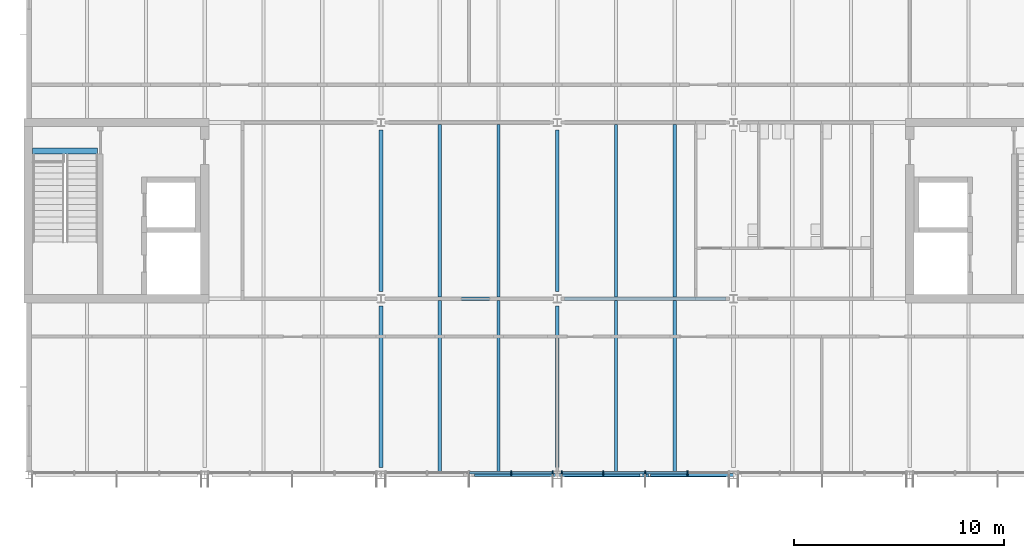
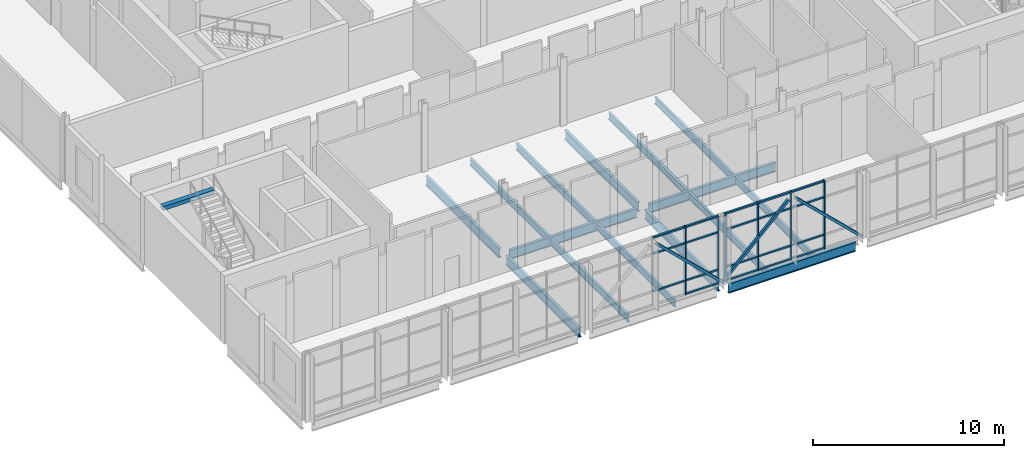
# One storey, part 12 of 89: 28 members, 16 beams, 2 elements without a shape of their own.
"""IFC4 building model written with IfcOpenShell, lengths in metres."""

from ifc_helpers import new_model, si_unit, direction, frame, origin, origin_2d, place, context, subcontext, project, spatial, rectangle, hollow_rectangle, i_section, extrude, material, material_profile, profile_set, type_object, element, aggregate, save


model = new_model("IFC4")

# Units and contexts
model_context = context("Model", 3, precision=1e-05, world=origin(), true_north=direction((0.0, 1.0)))
body_context = subcontext(model_context, "Body", "Model", "MODEL_VIEW")
ifc_project = project(units=[si_unit("LENGTHUNIT", "METRE"), si_unit("AREAUNIT", "SQUARE_METRE"), si_unit("VOLUMEUNIT", "CUBIC_METRE"), si_unit("PLANEANGLEUNIT", "RADIAN"), si_unit("MASSUNIT", "GRAM", prefix="KILO")], contexts=[model_context])

# Site, building, storey
site_placement = place(None, origin())
site = spatial("IfcSite", under=ifc_project, at=site_placement, CompositionType="ELEMENT")
building_placement = place(site_placement, origin())
building = spatial("IfcBuilding", under=site, at=building_placement, Name="Hlaing Beacon Police Headquarters", CompositionType="ELEMENT")
storey_placement = place(building_placement, frame((0.0, 0.0, 9.89990234375)))
storey = spatial("IfcBuildingStorey", under=building, at=storey_placement, Name="L02", CompositionType="ELEMENT", Elevation=9.89990234375)

# Members
ifc_material_1 = material(Name="Steel ASTM A500 Grade C", Category="steel")
ifc_material_profile_1 = material_profile(ifc_material_1, hollow_rectangle(XDim=0.15234375, YDim=0.15234375, WallThickness=0.0126953125, at=origin_2d()), Name="HSS6x6x1/2")
ifc_profile_set_1 = profile_set([ifc_material_profile_1], Name="Steel ASTM A500 Grade C")
member_type_1 = type_object("IfcMemberType", Name="Chevron brace HSS6x6x1/2", PredefinedType="BRACE", material=ifc_profile_set_1)
member_1_placement = place(storey_placement, frame((33.64306640625, 8.39990234375, 0.05517578125), z_axis=(-0.719900149017, 0.0, 0.694077643672), x_axis=(0.0, -1.0, 0.0)))
element("IfcMember", 1, at=member_1_placement, inside=storey, type_object=member_type_1, Name="STR-BR-L02-2Db", PredefinedType="BRACE", context=body_context, shape_type="SweptSolid", body=[
    extrude(hollow_rectangle(XDim=0.15234375, YDim=0.15234375, WallThickness=0.0126953125, at=origin_2d()), origin(), (0.0, 0.0, 1.0), 5.615966796875),
])
member_2_placement = place(storey_placement, frame((33.556884765625, 8.39990234375, 0.05517578125), z_axis=(0.719921090511, 0.0, 0.694055922414), x_axis=(0.0, 1.0, 0.0)))
element("IfcMember", 2, at=member_2_placement, inside=storey, type_object=member_type_1, Name="STR-BR-L02-2Ea", PredefinedType="BRACE", context=body_context, shape_type="SweptSolid", body=[
    extrude(hollow_rectangle(XDim=0.15234375, YDim=0.15234375, WallThickness=0.0126953125, at=origin_2d()), origin(), (0.0, 0.0, 1.0), 5.6162109375),
])
member_3_placement = place(storey_placement, frame((42.04296875, 8.39990234375, 0.05517578125), z_axis=(-0.719900149017, 0.0, 0.694077643672), x_axis=(0.0, -1.0, 0.0)))
element("IfcMember", 3, at=member_3_placement, inside=storey, type_object=member_type_1, Name="STR-BR-L02-2Eb", PredefinedType="BRACE", context=body_context, shape_type="SweptSolid", body=[
    extrude(hollow_rectangle(XDim=0.15234375, YDim=0.15234375, WallThickness=0.0126953125, at=origin_2d()), origin(), (0.0, 0.0, 1.0), 5.615966796875),
])

# Beams
ifc_material_2 = material(Name="Steel ASTM A992 Grade 50", Category="steel")
ifc_material_profile_2 = material_profile(ifc_material_2, i_section(OverallWidth=0.177978515625, OverallDepth=0.599365234375, WebThickness=0.010009765625, FlangeThickness=0.012939453125, FilletRadius=0.012939453125, at=origin_2d()), Name="W24x55")
ifc_profile_set_2 = profile_set([ifc_material_profile_2], Name="Steel ASTM A992 Grade 50")
beam_type_1 = type_object("IfcBeamType", Name="Girder W24x55", PredefinedType="BEAM", material=ifc_profile_set_2)
for number, where, z_axis, x_axis, name in (
    (4, (33.949951171875, 8.39990234375, -0.4296875), (1.0, 0.0, 0.0), (0.0, 1.0, 0.0), "STR-BM-L02-GX-E2-F2"),
    (5, (25.550048828125, 16.800048828125, -0.4296875), (1.0, 0.0, 0.0), (0.0, 1.0, 0.0), "STR-BM-L02-GX-D3-E3"),
    (6, (33.949951171875, 16.800048828125, -0.4296875), (1.0, 0.0, 0.0), (0.0, 1.0, 0.0), "STR-BM-L02-GX-E3-F3"),
    (7, (25.199951171875, 8.75, -0.4296875), (0.0, 1.0, 0.0), (-1.0, 0.0, 0.0), "STR-BM-L02-GY-D2-D3"),
):
    element("IfcBeam", number, at=place(storey_placement, frame(where, z_axis=z_axis, x_axis=x_axis)), inside=storey, type_object=beam_type_1, Name=name, PredefinedType="BEAM", context=body_context, shape_type="SweptSolid", body=[
        extrude(i_section(OverallWidth=0.177978515625, OverallDepth=0.599365234375, WebThickness=0.010009765625, FlangeThickness=0.012939453125, FilletRadius=0.012939453125, at=origin_2d()), origin(), (0.0, 0.0, 1.0), 7.699951171875),
    ])
beam_1_placement = place(storey_placement, frame((25.199951171875, 17.14990234375, -0.4296875), z_axis=(0.0, 1.0, 0.0), x_axis=(-1.0, 0.0, 0.0)))
element("IfcBeam", 8, at=beam_1_placement, inside=storey, type_object=beam_type_1, Name="STR-BM-L02-GY-D3-D4", PredefinedType="BEAM", context=body_context, shape_type="SweptSolid", body=[
    extrude(i_section(OverallWidth=0.177978515625, OverallDepth=0.599365234375, WebThickness=0.010009765625, FlangeThickness=0.012939453125, FilletRadius=0.012939453125, at=origin_2d()), origin(), (0.0, 0.0, 1.0), 7.7001953125),
])
beam_2_placement = place(storey_placement, frame((33.60009765625, 8.75, -0.4296875), z_axis=(0.0, 1.0, 0.0), x_axis=(-1.0, 0.0, 0.0)))
element("IfcBeam", 9, at=beam_2_placement, inside=storey, type_object=beam_type_1, Name="STR-BM-L02-GY-E2-E3", PredefinedType="BEAM", context=body_context, shape_type="SweptSolid", body=[
    extrude(i_section(OverallWidth=0.177978515625, OverallDepth=0.599365234375, WebThickness=0.010009765625, FlangeThickness=0.012939453125, FilletRadius=0.012939453125, at=origin_2d()), origin(), (0.0, 0.0, 1.0), 7.699951171875),
])
beam_3_placement = place(storey_placement, frame((33.60009765625, 17.14990234375, -0.4296875), z_axis=(0.0, 1.0, 0.0), x_axis=(-1.0, 0.0, 0.0)))
element("IfcBeam", 10, at=beam_3_placement, inside=storey, type_object=beam_type_1, Name="STR-BM-L02-GY-E3-E4", PredefinedType="BEAM", context=body_context, shape_type="SweptSolid", body=[
    extrude(i_section(OverallWidth=0.177978515625, OverallDepth=0.599365234375, WebThickness=0.010009765625, FlangeThickness=0.012939453125, FilletRadius=0.012939453125, at=origin_2d()), origin(), (0.0, 0.0, 1.0), 7.7001953125),
])

# Curtain wall, members
ifc_material_3 = material(Name="Aluminium frame with solar control glazing", Category="aluminium")
curtain_wall_type = type_object("IfcCurtainWallType", Name="Unitised curtain wall 8.03 x 4.37", PredefinedType="NOTDEFINED", material=ifc_material_3)
curtain_wall_1_placement = place(storey_placement, origin())
curtain_wall_1 = element("IfcCurtainWall", 11, at=curtain_wall_1_placement, inside=storey, type_object=curtain_wall_type, Name="ENV-CW-L02-S011", PredefinedType="NOTDEFINED")
ifc_material_4 = material(Name="Aluminium", Category="aluminium")
ifc_material_profile_3 = material_profile(ifc_material_4, rectangle(XDim=0.199951171875, YDim=0.06005859375, at=origin_2d()), Name="Mullion 60x200")
ifc_profile_set_3 = profile_set([ifc_material_profile_3], Name="Aluminium")
member_type_2 = type_object("IfcMemberType", Name="Mullion 60x200", PredefinedType="MULLION", material=ifc_profile_set_3)
member_4_placement = place(storey_placement, frame((31.4072265625, 8.5, 0.0), z_axis=(0.0, 0.0, 1.0), x_axis=(0.0, 1.0, 0.0)))
member_4 = element("IfcMember", 12, at=member_4_placement, type_object=member_type_2, Name="CW-L02-S011 mullion 4", PredefinedType="MULLION", context=body_context, shape_type="SweptSolid", body=[
    extrude(rectangle(XDim=0.199951171875, YDim=0.06005859375, at=origin_2d()), origin(), (0.0, 0.0, 1.0), 4.3701171875),
])
member_5_placement = place(storey_placement, frame((33.384521484375, 8.5, 0.0), z_axis=(0.0, 0.0, 1.0), x_axis=(0.0, 1.0, 0.0)))
member_5 = element("IfcMember", 13, at=member_5_placement, type_object=member_type_2, Name="CW-L02-S011 mullion 5", PredefinedType="MULLION", context=body_context, shape_type="SweptSolid", body=[
    extrude(rectangle(XDim=0.199951171875, YDim=0.06005859375, at=origin_2d()), origin(), (0.0, 0.0, 1.0), 4.3701171875),
])

curtain_wall_2_placement = place(storey_placement, origin())
curtain_wall_2 = element("IfcCurtainWall", 14, at=curtain_wall_2_placement, inside=storey, type_object=curtain_wall_type, Name="ENV-CW-L02-S012", PredefinedType="NOTDEFINED")
member_6_placement = place(storey_placement, frame((33.8154296875, 8.5, 0.0), z_axis=(0.0, 0.0, 1.0), x_axis=(0.0, 1.0, 0.0)))
member_6 = element("IfcMember", 15, at=member_6_placement, type_object=member_type_2, Name="CW-L02-S012 mullion 1", PredefinedType="MULLION", context=body_context, shape_type="SweptSolid", body=[
    extrude(rectangle(XDim=0.199951171875, YDim=0.06005859375, at=origin_2d()), origin(), (0.0, 0.0, 1.0), 4.3701171875),
])
member_7_placement = place(storey_placement, frame((35.792724609375, 8.5, 0.0), z_axis=(0.0, 0.0, 1.0), x_axis=(0.0, 1.0, 0.0)))
member_7 = element("IfcMember", 16, at=member_7_placement, type_object=member_type_2, Name="CW-L02-S012 mullion 2", PredefinedType="MULLION", context=body_context, shape_type="SweptSolid", body=[
    extrude(rectangle(XDim=0.199951171875, YDim=0.06005859375, at=origin_2d()), origin(), (0.0, 0.0, 1.0), 4.3701171875),
])
member_8_placement = place(storey_placement, frame((37.800048828125, 8.5, 0.0), z_axis=(0.0, 0.0, 1.0), x_axis=(0.0, 1.0, 0.0)))
member_8 = element("IfcMember", 17, at=member_8_placement, type_object=member_type_2, Name="CW-L02-S012 mullion 3", PredefinedType="MULLION", context=body_context, shape_type="SweptSolid", body=[
    extrude(rectangle(XDim=0.199951171875, YDim=0.06005859375, at=origin_2d()), origin(), (0.0, 0.0, 1.0), 4.3701171875),
])
member_9_placement = place(storey_placement, frame((39.807373046875, 8.5, 0.0), z_axis=(0.0, 0.0, 1.0), x_axis=(0.0, 1.0, 0.0)))
member_9 = element("IfcMember", 18, at=member_9_placement, type_object=member_type_2, Name="CW-L02-S012 mullion 4", PredefinedType="MULLION", context=body_context, shape_type="SweptSolid", body=[
    extrude(rectangle(XDim=0.199951171875, YDim=0.06005859375, at=origin_2d()), origin(), (0.0, 0.0, 1.0), 4.3701171875),
])

# Beams
ifc_material_5 = material(Name="Steel ASTM A992 Grade 50", Category="steel")
ifc_material_profile_4 = material_profile(ifc_material_5, i_section(OverallWidth=0.15234375, OverallDepth=0.449462890625, WebThickness=0.007568359375, FlangeThickness=0.0107421875, FilletRadius=0.01025390625, at=origin_2d()), Name="W18x35")
ifc_profile_set_4 = profile_set([ifc_material_profile_4], Name="Steel ASTM A992 Grade 50")
beam_type_2 = type_object("IfcBeamType", Name="Secondary beam W18x35", PredefinedType="BEAM", material=ifc_profile_set_4)
for number, where, z_axis, x_axis, name in (
    (19, (28.0, 8.489013671875, -0.354736328125), (0.0, 1.0, 0.0), (-1.0, 0.0, 0.0), "STR-BM-L02-SB-D2-y1"),
    (20, (30.800048828125, 8.489013671875, -0.354736328125), (0.0, 1.0, 0.0), (-1.0, 0.0, 0.0), "STR-BM-L02-SB-D2-y2"),
):
    element("IfcBeam", number, at=place(storey_placement, frame(where, z_axis=z_axis, x_axis=x_axis)), inside=storey, type_object=beam_type_2, Name=name, PredefinedType="BEAM", context=body_context, shape_type="SweptSolid", body=[
        extrude(i_section(OverallWidth=0.15234375, OverallDepth=0.449462890625, WebThickness=0.007568359375, FlangeThickness=0.0107421875, FilletRadius=0.01025390625, at=origin_2d()), origin(), (0.0, 0.0, 1.0), 8.221923828125),
    ])
for number, where, z_axis, x_axis, name in (
    (21, (28.0, 16.888916015625, -0.354736328125), (0.0, 1.0, 0.0), (-1.0, 0.0, 0.0), "STR-BM-L02-SB-D3-y1"),
    (22, (30.800048828125, 16.888916015625, -0.354736328125), (0.0, 1.0, 0.0), (-1.0, 0.0, 0.0), "STR-BM-L02-SB-D3-y2"),
):
    element("IfcBeam", number, at=place(storey_placement, frame(where, z_axis=z_axis, x_axis=x_axis)), inside=storey, type_object=beam_type_2, Name=name, PredefinedType="BEAM", context=body_context, shape_type="SweptSolid", body=[
        extrude(i_section(OverallWidth=0.15234375, OverallDepth=0.449462890625, WebThickness=0.007568359375, FlangeThickness=0.0107421875, FilletRadius=0.01025390625, at=origin_2d()), origin(), (0.0, 0.0, 1.0), 8.22216796875),
    ])
for number, where, z_axis, x_axis, name in (
    (23, (36.39990234375, 8.489013671875, -0.354736328125), (0.0, 1.0, 0.0), (-1.0, 0.0, 0.0), "STR-BM-L02-SB-E2-y1"),
    (24, (39.199951171875, 8.489013671875, -0.354736328125), (0.0, 1.0, 0.0), (-1.0, 0.0, 0.0), "STR-BM-L02-SB-E2-y2"),
):
    element("IfcBeam", number, at=place(storey_placement, frame(where, z_axis=z_axis, x_axis=x_axis)), inside=storey, type_object=beam_type_2, Name=name, PredefinedType="BEAM", context=body_context, shape_type="SweptSolid", body=[
        extrude(i_section(OverallWidth=0.15234375, OverallDepth=0.449462890625, WebThickness=0.007568359375, FlangeThickness=0.0107421875, FilletRadius=0.01025390625, at=origin_2d()), origin(), (0.0, 0.0, 1.0), 8.221923828125),
    ])
for number, where, z_axis, x_axis, name in (
    (25, (36.39990234375, 16.888916015625, -0.354736328125), (0.0, 1.0, 0.0), (-1.0, 0.0, 0.0), "STR-BM-L02-SB-E3-y1"),
    (26, (39.199951171875, 16.888916015625, -0.354736328125), (0.0, 1.0, 0.0), (-1.0, 0.0, 0.0), "STR-BM-L02-SB-E3-y2"),
):
    element("IfcBeam", number, at=place(storey_placement, frame(where, z_axis=z_axis, x_axis=x_axis)), inside=storey, type_object=beam_type_2, Name=name, PredefinedType="BEAM", context=body_context, shape_type="SweptSolid", body=[
        extrude(i_section(OverallWidth=0.15234375, OverallDepth=0.449462890625, WebThickness=0.007568359375, FlangeThickness=0.0107421875, FilletRadius=0.01025390625, at=origin_2d()), origin(), (0.0, 0.0, 1.0), 8.22216796875),
    ])
ifc_material_6 = material(Name="Concrete C40/50", Category="concrete")
ifc_material_profile_5 = material_profile(ifc_material_6, rectangle(XDim=0.300048828125, YDim=0.25, at=origin_2d()), Name="Stair arrival beam 300x250")
ifc_profile_set_5 = profile_set([ifc_material_profile_5], Name="Concrete C40/50")
beam_type_3 = type_object("IfcBeamType", Name="Stair arrival beam 300x250", PredefinedType="BEAM", material=ifc_profile_set_5)
beam_4_placement = place(storey_placement, frame((8.60009765625, 23.840087890625, 4.2451171875), z_axis=(1.0, 0.0, 0.0), x_axis=(0.0, 1.0, 0.0)))
element("IfcBeam", 27, at=beam_4_placement, inside=storey, type_object=beam_type_3, Name="Stair arrival beam ST-J", PredefinedType="BEAM", context=body_context, shape_type="SweptSolid", body=[
    extrude(rectangle(XDim=0.300048828125, YDim=0.25, at=origin_2d()), origin(), (0.0, 0.0, 1.0), 3.099853515625),
])

# Member
ifc_material_7 = material(Name="Aluminium", Category="aluminium")
ifc_material_profile_6 = material_profile(ifc_material_7, rectangle(XDim=0.1201171875, YDim=0.10009765625, at=origin_2d()), Name="Transom 120x100")
ifc_profile_set_6 = profile_set([ifc_material_profile_6], Name="Aluminium")
member_type_3 = type_object("IfcMemberType", Name="Transom 120x100", PredefinedType="USERDEFINED", material=ifc_profile_set_6)
member_10_placement = place(storey_placement, frame((29.429931640625, 8.5, 0.900146484375), z_axis=(1.0, 0.0, 0.0), x_axis=(0.0, 1.0, 0.0)))
member_10 = element("IfcMember", 28, at=member_10_placement, type_object=member_type_3, Name="CW-L02-S011 transom 3.2", ObjectType="TRANSOM", PredefinedType="USERDEFINED", context=body_context, shape_type="SweptSolid", body=[
    extrude(rectangle(XDim=0.1201171875, YDim=0.10009765625, at=origin_2d()), origin(), (0.0, 0.0, 1.0), 1.947265625),
])

member_11_placement = place(storey_placement, frame((29.429931640625, 8.5, 3.300048828125), z_axis=(1.0, 0.0, 0.0), x_axis=(0.0, 1.0, 0.0)))
member_11 = element("IfcMember", 29, at=member_11_placement, type_object=member_type_3, Name="CW-L02-S011 transom 3.3", ObjectType="TRANSOM", PredefinedType="USERDEFINED", context=body_context, shape_type="SweptSolid", body=[
    extrude(rectangle(XDim=0.1201171875, YDim=0.10009765625, at=origin_2d()), origin(), (0.0, 0.0, 1.0), 1.947265625),
])

member_12_placement = place(storey_placement, frame((29.429931640625, 8.5, 4.320068359375), z_axis=(1.0, 0.0, 0.0), x_axis=(0.0, 1.0, 0.0)))
member_12 = element("IfcMember", 30, at=member_12_placement, type_object=member_type_3, Name="CW-L02-S011 transom 3.4", ObjectType="TRANSOM", PredefinedType="USERDEFINED", context=body_context, shape_type="SweptSolid", body=[
    extrude(rectangle(XDim=0.1201171875, YDim=0.10009765625, at=origin_2d()), origin(), (0.0, 0.0, 1.0), 1.947265625),
])

member_13_placement = place(storey_placement, frame((31.437255859375, 8.5, 0.050048828125), z_axis=(1.0, 0.0, 0.0), x_axis=(0.0, 1.0, 0.0)))
member_13 = element("IfcMember", 31, at=member_13_placement, type_object=member_type_3, Name="CW-L02-S011 transom 4.1", ObjectType="TRANSOM", PredefinedType="USERDEFINED", context=body_context, shape_type="SweptSolid", body=[
    extrude(rectangle(XDim=0.1201171875, YDim=0.10009765625, at=origin_2d()), origin(), (0.0, 0.0, 1.0), 1.917236328125),
])

member_14_placement = place(storey_placement, frame((31.437255859375, 8.5, 0.900146484375), z_axis=(1.0, 0.0, 0.0), x_axis=(0.0, 1.0, 0.0)))
member_14 = element("IfcMember", 32, at=member_14_placement, type_object=member_type_3, Name="CW-L02-S011 transom 4.2", ObjectType="TRANSOM", PredefinedType="USERDEFINED", context=body_context, shape_type="SweptSolid", body=[
    extrude(rectangle(XDim=0.1201171875, YDim=0.10009765625, at=origin_2d()), origin(), (0.0, 0.0, 1.0), 1.917236328125),
])

member_15_placement = place(storey_placement, frame((31.437255859375, 8.5, 3.300048828125), z_axis=(1.0, 0.0, 0.0), x_axis=(0.0, 1.0, 0.0)))
member_15 = element("IfcMember", 33, at=member_15_placement, type_object=member_type_3, Name="CW-L02-S011 transom 4.3", ObjectType="TRANSOM", PredefinedType="USERDEFINED", context=body_context, shape_type="SweptSolid", body=[
    extrude(rectangle(XDim=0.1201171875, YDim=0.10009765625, at=origin_2d()), origin(), (0.0, 0.0, 1.0), 1.917236328125),
])

member_16_placement = place(storey_placement, frame((31.437255859375, 8.5, 4.320068359375), z_axis=(1.0, 0.0, 0.0), x_axis=(0.0, 1.0, 0.0)))
member_16 = element("IfcMember", 34, at=member_16_placement, type_object=member_type_3, Name="CW-L02-S011 transom 4.4", ObjectType="TRANSOM", PredefinedType="USERDEFINED", context=body_context, shape_type="SweptSolid", body=[
    extrude(rectangle(XDim=0.1201171875, YDim=0.10009765625, at=origin_2d()), origin(), (0.0, 0.0, 1.0), 1.917236328125),
])

aggregate(curtain_wall_1, [member_4, member_5, member_10, member_11, member_12, member_13, member_14, member_15, member_16])

member_17_placement = place(storey_placement, frame((33.845458984375, 8.5, 0.050048828125), z_axis=(1.0, 0.0, 0.0), x_axis=(0.0, 1.0, 0.0)))
member_17 = element("IfcMember", 35, at=member_17_placement, type_object=member_type_3, Name="CW-L02-S012 transom 1.1", ObjectType="TRANSOM", PredefinedType="USERDEFINED", context=body_context, shape_type="SweptSolid", body=[
    extrude(rectangle(XDim=0.1201171875, YDim=0.10009765625, at=origin_2d()), origin(), (0.0, 0.0, 1.0), 1.917236328125),
])

member_18_placement = place(storey_placement, frame((33.845458984375, 8.5, 0.900146484375), z_axis=(1.0, 0.0, 0.0), x_axis=(0.0, 1.0, 0.0)))
member_18 = element("IfcMember", 36, at=member_18_placement, type_object=member_type_3, Name="CW-L02-S012 transom 1.2", ObjectType="TRANSOM", PredefinedType="USERDEFINED", context=body_context, shape_type="SweptSolid", body=[
    extrude(rectangle(XDim=0.1201171875, YDim=0.10009765625, at=origin_2d()), origin(), (0.0, 0.0, 1.0), 1.917236328125),
])

member_19_placement = place(storey_placement, frame((33.845458984375, 8.5, 3.300048828125), z_axis=(1.0, 0.0, 0.0), x_axis=(0.0, 1.0, 0.0)))
member_19 = element("IfcMember", 37, at=member_19_placement, type_object=member_type_3, Name="CW-L02-S012 transom 1.3", ObjectType="TRANSOM", PredefinedType="USERDEFINED", context=body_context, shape_type="SweptSolid", body=[
    extrude(rectangle(XDim=0.1201171875, YDim=0.10009765625, at=origin_2d()), origin(), (0.0, 0.0, 1.0), 1.917236328125),
])

member_20_placement = place(storey_placement, frame((33.845458984375, 8.5, 4.320068359375), z_axis=(1.0, 0.0, 0.0), x_axis=(0.0, 1.0, 0.0)))
member_20 = element("IfcMember", 38, at=member_20_placement, type_object=member_type_3, Name="CW-L02-S012 transom 1.4", ObjectType="TRANSOM", PredefinedType="USERDEFINED", context=body_context, shape_type="SweptSolid", body=[
    extrude(rectangle(XDim=0.1201171875, YDim=0.10009765625, at=origin_2d()), origin(), (0.0, 0.0, 1.0), 1.917236328125),
])

member_21_placement = place(storey_placement, frame((35.82275390625, 8.5, 0.050048828125), z_axis=(1.0, 0.0, 0.0), x_axis=(0.0, 1.0, 0.0)))
member_21 = element("IfcMember", 39, at=member_21_placement, type_object=member_type_3, Name="CW-L02-S012 transom 2.1", ObjectType="TRANSOM", PredefinedType="USERDEFINED", context=body_context, shape_type="SweptSolid", body=[
    extrude(rectangle(XDim=0.1201171875, YDim=0.10009765625, at=origin_2d()), origin(), (0.0, 0.0, 1.0), 1.947265625),
])

member_22_placement = place(storey_placement, frame((35.82275390625, 8.5, 0.900146484375), z_axis=(1.0, 0.0, 0.0), x_axis=(0.0, 1.0, 0.0)))
member_22 = element("IfcMember", 40, at=member_22_placement, type_object=member_type_3, Name="CW-L02-S012 transom 2.2", ObjectType="TRANSOM", PredefinedType="USERDEFINED", context=body_context, shape_type="SweptSolid", body=[
    extrude(rectangle(XDim=0.1201171875, YDim=0.10009765625, at=origin_2d()), origin(), (0.0, 0.0, 1.0), 1.947265625),
])

member_23_placement = place(storey_placement, frame((35.82275390625, 8.5, 3.300048828125), z_axis=(1.0, 0.0, 0.0), x_axis=(0.0, 1.0, 0.0)))
member_23 = element("IfcMember", 41, at=member_23_placement, type_object=member_type_3, Name="CW-L02-S012 transom 2.3", ObjectType="TRANSOM", PredefinedType="USERDEFINED", context=body_context, shape_type="SweptSolid", body=[
    extrude(rectangle(XDim=0.1201171875, YDim=0.10009765625, at=origin_2d()), origin(), (0.0, 0.0, 1.0), 1.947265625),
])

member_24_placement = place(storey_placement, frame((35.82275390625, 8.5, 4.320068359375), z_axis=(1.0, 0.0, 0.0), x_axis=(0.0, 1.0, 0.0)))
member_24 = element("IfcMember", 42, at=member_24_placement, type_object=member_type_3, Name="CW-L02-S012 transom 2.4", ObjectType="TRANSOM", PredefinedType="USERDEFINED", context=body_context, shape_type="SweptSolid", body=[
    extrude(rectangle(XDim=0.1201171875, YDim=0.10009765625, at=origin_2d()), origin(), (0.0, 0.0, 1.0), 1.947265625),
])

member_25_placement = place(storey_placement, frame((37.830078125, 8.5, 0.050048828125), z_axis=(1.0, 0.0, 0.0), x_axis=(0.0, 1.0, 0.0)))
member_25 = element("IfcMember", 43, at=member_25_placement, type_object=member_type_3, Name="CW-L02-S012 transom 3.1", ObjectType="TRANSOM", PredefinedType="USERDEFINED", context=body_context, shape_type="SweptSolid", body=[
    extrude(rectangle(XDim=0.1201171875, YDim=0.10009765625, at=origin_2d()), origin(), (0.0, 0.0, 1.0), 1.947265625),
])

member_26_placement = place(storey_placement, frame((37.830078125, 8.5, 0.900146484375), z_axis=(1.0, 0.0, 0.0), x_axis=(0.0, 1.0, 0.0)))
member_26 = element("IfcMember", 44, at=member_26_placement, type_object=member_type_3, Name="CW-L02-S012 transom 3.2", ObjectType="TRANSOM", PredefinedType="USERDEFINED", context=body_context, shape_type="SweptSolid", body=[
    extrude(rectangle(XDim=0.1201171875, YDim=0.10009765625, at=origin_2d()), origin(), (0.0, 0.0, 1.0), 1.947265625),
])

member_27_placement = place(storey_placement, frame((37.830078125, 8.5, 3.300048828125), z_axis=(1.0, 0.0, 0.0), x_axis=(0.0, 1.0, 0.0)))
member_27 = element("IfcMember", 45, at=member_27_placement, type_object=member_type_3, Name="CW-L02-S012 transom 3.3", ObjectType="TRANSOM", PredefinedType="USERDEFINED", context=body_context, shape_type="SweptSolid", body=[
    extrude(rectangle(XDim=0.1201171875, YDim=0.10009765625, at=origin_2d()), origin(), (0.0, 0.0, 1.0), 1.947265625),
])

member_28_placement = place(storey_placement, frame((37.830078125, 8.5, 4.320068359375), z_axis=(1.0, 0.0, 0.0), x_axis=(0.0, 1.0, 0.0)))
member_28 = element("IfcMember", 46, at=member_28_placement, type_object=member_type_3, Name="CW-L02-S012 transom 3.4", ObjectType="TRANSOM", PredefinedType="USERDEFINED", context=body_context, shape_type="SweptSolid", body=[
    extrude(rectangle(XDim=0.1201171875, YDim=0.10009765625, at=origin_2d()), origin(), (0.0, 0.0, 1.0), 1.947265625),
])

aggregate(curtain_wall_2, [member_6, member_7, member_8, member_9, member_17, member_18, member_19, member_20, member_21, member_22, member_23, member_24, member_25, member_26, member_27, member_28])

save(model, "model.ifc")
